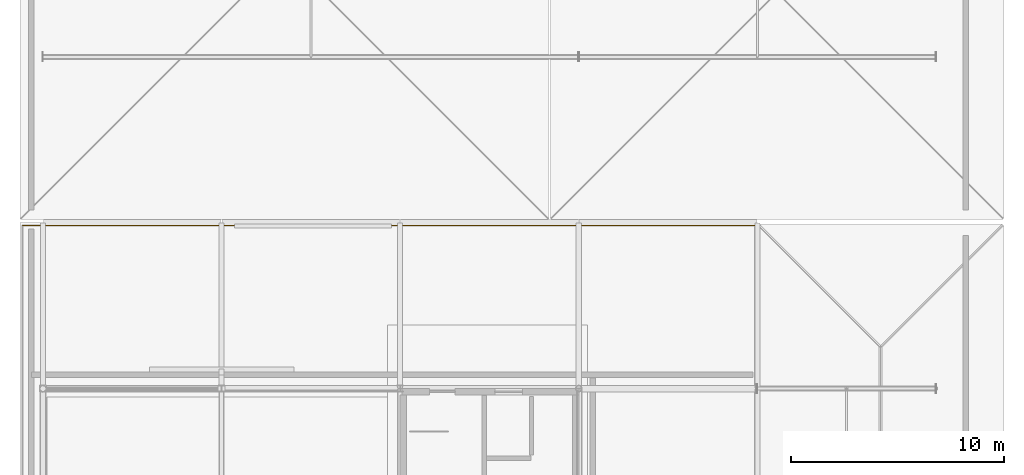
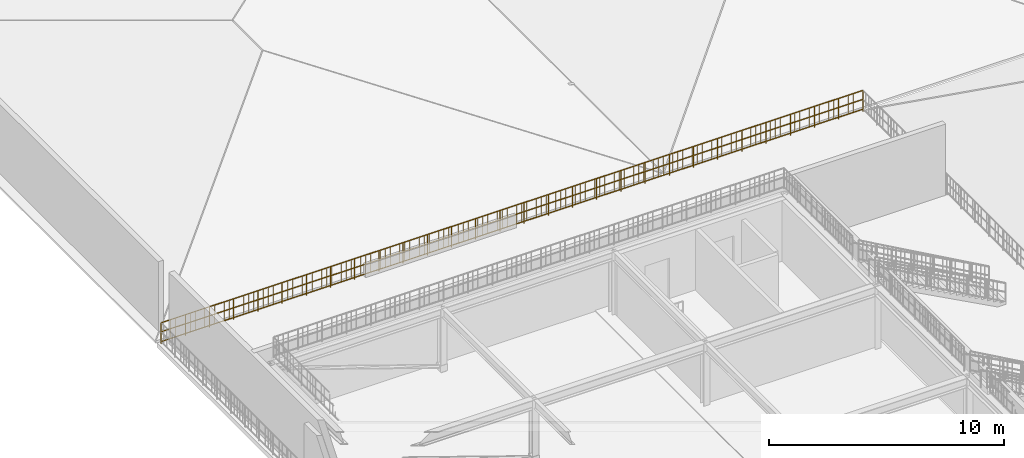
# One storey, part 16 of 16: 1 railing.
"""IFC4 building model written with IfcOpenShell, lengths in metres."""

from ifc_helpers import new_model, si_unit, direction, frame, origin, origin_2d, place, context, subcontext, project, spatial, circle, extrude, material, layer, layer_set, type_object, element, save


model = new_model("IFC4")

# Units and contexts
model_context = context("Model", 3, precision=1e-05, world=origin(), true_north=direction((0.0, 1.0)))
body_context = subcontext(model_context, "Body", "Model", "MODEL_VIEW")
ifc_project = project(units=[si_unit("LENGTHUNIT", "METRE"), si_unit("AREAUNIT", "SQUARE_METRE"), si_unit("VOLUMEUNIT", "CUBIC_METRE"), si_unit("PLANEANGLEUNIT", "RADIAN"), si_unit("MASSUNIT", "GRAM", prefix="KILO")], contexts=[model_context])

# Site, building, storey
site_placement = place(None, origin())
site = spatial("IfcSite", under=ifc_project, at=site_placement, CompositionType="ELEMENT")
building_placement = place(site_placement, origin())
building = spatial("IfcBuilding", under=site, at=building_placement, Name="Nabrawat Pavilion Hospital", CompositionType="ELEMENT")
storey_placement = place(building_placement, frame((0.0, 0.0, 35.10009765625)))
storey = spatial("IfcBuildingStorey", under=building, at=storey_placement, Name="Roof", CompositionType="ELEMENT", Elevation=35.10009765625)

# Railing
ifc_material = material(Name="Stainless Steel 316", Category="steel")
ifc_layer = layer(ifc_material, 0.070068359375, Name="Stainless Steel 316")
ifc_layer_set = layer_set([ifc_layer], Name="Stainless Steel 316")
railing_type = type_object("IfcRailingType", Name="Exterior Clinical Terrace Safety Guardrail 1100", PredefinedType="GUARDRAIL", material=ifc_layer_set)
railing_placement = place(storey_placement, frame((150.239990234375, 85.679931640625, 0.0)))
element("IfcRailing", 1, at=railing_placement, inside=storey, type_object=railing_type, Name="Roof Headhouse Terrace Safety Guardrail North", PredefinedType="GUARDRAIL", context=body_context, shape_type="SweptSolid", body=[
    extrude(circle(Radius=0.02392578125, at=origin_2d()), frame((0.0, 0.0, 1.076171875), z_axis=(1.0, 0.0, 0.0), x_axis=(0.0, 1.0, 0.0)), (0.0, 0.0, 1.0), 34.43994140625),
    extrude(circle(Radius=0.02392578125, at=origin_2d()), frame((0.0, 0.0, 0.10009765625), z_axis=(1.0, 0.0, 0.0), x_axis=(0.0, 1.0, 0.0)), (0.0, 0.0, 1.0), 34.43994140625),
    extrude(circle(Radius=0.02392578125, at=origin_2d()), frame((0.0, 0.0, 0.60498046875), z_axis=(1.0, 0.0, 0.0), x_axis=(0.0, 1.0, 0.0)), (0.0, 0.0, 1.0), 34.43994140625),
    extrude(circle(Radius=0.008056640625, at=origin_2d()), frame((0.2392578125, 0.0, 0.10009765625)), (0.0, 0.0, 1.0), 0.951904296875),
    extrude(circle(Radius=0.008056640625, at=origin_2d()), frame((0.478271484375, 0.0, 0.10009765625)), (0.0, 0.0, 1.0), 0.951904296875),
    extrude(circle(Radius=0.008056640625, at=origin_2d()), frame((0.717529296875, 0.0, 0.10009765625)), (0.0, 0.0, 1.0), 0.951904296875),
    extrude(circle(Radius=0.008056640625, at=origin_2d()), frame((0.95654296875, 0.0, 0.10009765625)), (0.0, 0.0, 1.0), 0.951904296875),
    extrude(circle(Radius=0.008056640625, at=origin_2d()), frame((1.43505859375, 0.0, 0.10009765625)), (0.0, 0.0, 1.0), 0.951904296875),
    extrude(circle(Radius=0.008056640625, at=origin_2d()), frame((1.674072265625, 0.0, 0.10009765625)), (0.0, 0.0, 1.0), 0.951904296875),
    extrude(circle(Radius=0.008056640625, at=origin_2d()), frame((1.913330078125, 0.0, 0.10009765625)), (0.0, 0.0, 1.0), 0.951904296875),
    extrude(circle(Radius=0.008056640625, at=origin_2d()), frame((2.152587890625, 0.0, 0.10009765625)), (0.0, 0.0, 1.0), 0.951904296875),
    extrude(circle(Radius=0.008056640625, at=origin_2d()), frame((2.630859375, 0.0, 0.10009765625)), (0.0, 0.0, 1.0), 0.951904296875),
    extrude(circle(Radius=0.008056640625, at=origin_2d()), frame((2.8701171875, 0.0, 0.10009765625)), (0.0, 0.0, 1.0), 0.951904296875),
    extrude(circle(Radius=0.008056640625, at=origin_2d()), frame((3.109130859375, 0.0, 0.10009765625)), (0.0, 0.0, 1.0), 0.951904296875),
    extrude(circle(Radius=0.008056640625, at=origin_2d()), frame((3.348388671875, 0.0, 0.10009765625)), (0.0, 0.0, 1.0), 0.951904296875),
    extrude(circle(Radius=0.008056640625, at=origin_2d()), frame((3.82666015625, 0.0, 0.10009765625)), (0.0, 0.0, 1.0), 0.951904296875),
    extrude(circle(Radius=0.008056640625, at=origin_2d()), frame((4.06591796875, 0.0, 0.10009765625)), (0.0, 0.0, 1.0), 0.951904296875),
    extrude(circle(Radius=0.008056640625, at=origin_2d()), frame((4.304931640625, 0.0, 0.10009765625)), (0.0, 0.0, 1.0), 0.951904296875),
    extrude(circle(Radius=0.008056640625, at=origin_2d()), frame((4.544189453125, 0.0, 0.10009765625)), (0.0, 0.0, 1.0), 0.951904296875),
    extrude(circle(Radius=0.008056640625, at=origin_2d()), frame((5.0224609375, 0.0, 0.10009765625)), (0.0, 0.0, 1.0), 0.951904296875),
    extrude(circle(Radius=0.008056640625, at=origin_2d()), frame((5.26171875, 0.0, 0.10009765625)), (0.0, 0.0, 1.0), 0.951904296875),
    extrude(circle(Radius=0.008056640625, at=origin_2d()), frame((5.500732421875, 0.0, 0.10009765625)), (0.0, 0.0, 1.0), 0.951904296875),
    extrude(circle(Radius=0.008056640625, at=origin_2d()), frame((5.739990234375, 0.0, 0.10009765625)), (0.0, 0.0, 1.0), 0.951904296875),
    extrude(circle(Radius=0.008056640625, at=origin_2d()), frame((6.21826171875, 0.0, 0.10009765625)), (0.0, 0.0, 1.0), 0.951904296875),
    extrude(circle(Radius=0.008056640625, at=origin_2d()), frame((6.45751953125, 0.0, 0.10009765625)), (0.0, 0.0, 1.0), 0.951904296875),
    extrude(circle(Radius=0.008056640625, at=origin_2d()), frame((6.69677734375, 0.0, 0.10009765625)), (0.0, 0.0, 1.0), 0.951904296875),
    extrude(circle(Radius=0.008056640625, at=origin_2d()), frame((6.935791015625, 0.0, 0.10009765625)), (0.0, 0.0, 1.0), 0.951904296875),
    extrude(circle(Radius=0.008056640625, at=origin_2d()), frame((7.4140625, 0.0, 0.10009765625)), (0.0, 0.0, 1.0), 0.951904296875),
    extrude(circle(Radius=0.008056640625, at=origin_2d()), frame((7.6533203125, 0.0, 0.10009765625)), (0.0, 0.0, 1.0), 0.951904296875),
    extrude(circle(Radius=0.008056640625, at=origin_2d()), frame((7.892578125, 0.0, 0.10009765625)), (0.0, 0.0, 1.0), 0.951904296875),
    extrude(circle(Radius=0.008056640625, at=origin_2d()), frame((8.131591796875, 0.0, 0.10009765625)), (0.0, 0.0, 1.0), 0.951904296875),
    extrude(circle(Radius=0.008056640625, at=origin_2d()), frame((8.370849609375, 0.0, 0.10009765625)), (0.0, 0.0, 1.0), 0.951904296875),
    extrude(circle(Radius=0.008056640625, at=origin_2d()), frame((8.60986328125, 0.0, 0.10009765625)), (0.0, 0.0, 1.0), 0.951904296875),
    extrude(circle(Radius=0.008056640625, at=origin_2d()), frame((8.84912109375, 0.0, 0.10009765625)), (0.0, 0.0, 1.0), 0.951904296875),
    extrude(circle(Radius=0.008056640625, at=origin_2d()), frame((9.08837890625, 0.0, 0.10009765625)), (0.0, 0.0, 1.0), 0.951904296875),
    extrude(circle(Radius=0.008056640625, at=origin_2d()), frame((9.327392578125, 0.0, 0.10009765625)), (0.0, 0.0, 1.0), 0.951904296875),
    extrude(circle(Radius=0.008056640625, at=origin_2d()), frame((9.566650390625, 0.0, 0.10009765625)), (0.0, 0.0, 1.0), 0.951904296875),
    extrude(circle(Radius=0.008056640625, at=origin_2d()), frame((9.805908203125, 0.0, 0.10009765625)), (0.0, 0.0, 1.0), 0.951904296875),
    extrude(circle(Radius=0.008056640625, at=origin_2d()), frame((10.044921875, 0.0, 0.10009765625)), (0.0, 0.0, 1.0), 0.951904296875),
    extrude(circle(Radius=0.008056640625, at=origin_2d()), frame((10.2841796875, 0.0, 0.10009765625)), (0.0, 0.0, 1.0), 0.951904296875),
    extrude(circle(Radius=0.008056640625, at=origin_2d()), frame((10.5234375, 0.0, 0.10009765625)), (0.0, 0.0, 1.0), 0.951904296875),
    extrude(circle(Radius=0.008056640625, at=origin_2d()), frame((10.762451171875, 0.0, 0.10009765625)), (0.0, 0.0, 1.0), 0.951904296875),
    extrude(circle(Radius=0.008056640625, at=origin_2d()), frame((11.001708984375, 0.0, 0.10009765625)), (0.0, 0.0, 1.0), 0.951904296875),
    extrude(circle(Radius=0.008056640625, at=origin_2d()), frame((11.24072265625, 0.0, 0.10009765625)), (0.0, 0.0, 1.0), 0.951904296875),
    extrude(circle(Radius=0.008056640625, at=origin_2d()), frame((11.47998046875, 0.0, 0.10009765625)), (0.0, 0.0, 1.0), 0.951904296875),
    extrude(circle(Radius=0.008056640625, at=origin_2d()), frame((11.71923828125, 0.0, 0.10009765625)), (0.0, 0.0, 1.0), 0.951904296875),
    extrude(circle(Radius=0.008056640625, at=origin_2d()), frame((11.958251953125, 0.0, 0.10009765625)), (0.0, 0.0, 1.0), 0.951904296875),
    extrude(circle(Radius=0.008056640625, at=origin_2d()), frame((12.197509765625, 0.0, 0.10009765625)), (0.0, 0.0, 1.0), 0.951904296875),
    extrude(circle(Radius=0.008056640625, at=origin_2d()), frame((12.4365234375, 0.0, 0.10009765625)), (0.0, 0.0, 1.0), 0.951904296875),
    extrude(circle(Radius=0.008056640625, at=origin_2d()), frame((12.67578125, 0.0, 0.10009765625)), (0.0, 0.0, 1.0), 0.951904296875),
    extrude(circle(Radius=0.008056640625, at=origin_2d()), frame((12.9150390625, 0.0, 0.10009765625)), (0.0, 0.0, 1.0), 0.951904296875),
    extrude(circle(Radius=0.008056640625, at=origin_2d()), frame((13.154052734375, 0.0, 0.10009765625)), (0.0, 0.0, 1.0), 0.951904296875),
    extrude(circle(Radius=0.008056640625, at=origin_2d()), frame((13.393310546875, 0.0, 0.10009765625)), (0.0, 0.0, 1.0), 0.951904296875),
    extrude(circle(Radius=0.008056640625, at=origin_2d()), frame((13.632568359375, 0.0, 0.10009765625)), (0.0, 0.0, 1.0), 0.951904296875),
    extrude(circle(Radius=0.008056640625, at=origin_2d()), frame((13.87158203125, 0.0, 0.10009765625)), (0.0, 0.0, 1.0), 0.951904296875),
    extrude(circle(Radius=0.008056640625, at=origin_2d()), frame((14.11083984375, 0.0, 0.10009765625)), (0.0, 0.0, 1.0), 0.951904296875),
    extrude(circle(Radius=0.008056640625, at=origin_2d()), frame((14.35009765625, 0.0, 0.10009765625)), (0.0, 0.0, 1.0), 0.951904296875),
    extrude(circle(Radius=0.008056640625, at=origin_2d()), frame((14.589111328125, 0.0, 0.10009765625)), (0.0, 0.0, 1.0), 0.951904296875),
    extrude(circle(Radius=0.008056640625, at=origin_2d()), frame((14.828369140625, 0.0, 0.10009765625)), (0.0, 0.0, 1.0), 0.951904296875),
    extrude(circle(Radius=0.008056640625, at=origin_2d()), frame((15.0673828125, 0.0, 0.10009765625)), (0.0, 0.0, 1.0), 0.951904296875),
    extrude(circle(Radius=0.008056640625, at=origin_2d()), frame((15.306640625, 0.0, 0.10009765625)), (0.0, 0.0, 1.0), 0.951904296875),
    extrude(circle(Radius=0.008056640625, at=origin_2d()), frame((15.5458984375, 0.0, 0.10009765625)), (0.0, 0.0, 1.0), 0.951904296875),
    extrude(circle(Radius=0.008056640625, at=origin_2d()), frame((15.784912109375, 0.0, 0.10009765625)), (0.0, 0.0, 1.0), 0.951904296875),
    extrude(circle(Radius=0.008056640625, at=origin_2d()), frame((16.024169921875, 0.0, 0.10009765625)), (0.0, 0.0, 1.0), 0.951904296875),
    extrude(circle(Radius=0.008056640625, at=origin_2d()), frame((16.26318359375, 0.0, 0.10009765625)), (0.0, 0.0, 1.0), 0.951904296875),
    extrude(circle(Radius=0.008056640625, at=origin_2d()), frame((16.50244140625, 0.0, 0.10009765625)), (0.0, 0.0, 1.0), 0.951904296875),
    extrude(circle(Radius=0.008056640625, at=origin_2d()), frame((16.74169921875, 0.0, 0.10009765625)), (0.0, 0.0, 1.0), 0.951904296875),
    extrude(circle(Radius=0.008056640625, at=origin_2d()), frame((16.980712890625, 0.0, 0.10009765625)), (0.0, 0.0, 1.0), 0.951904296875),
    extrude(circle(Radius=0.008056640625, at=origin_2d()), frame((17.219970703125, 0.0, 0.10009765625)), (0.0, 0.0, 1.0), 0.951904296875),
    extrude(circle(Radius=0.008056640625, at=origin_2d()), frame((17.459228515625, 0.0, 0.10009765625)), (0.0, 0.0, 1.0), 0.951904296875),
    extrude(circle(Radius=0.008056640625, at=origin_2d()), frame((17.6982421875, 0.0, 0.10009765625)), (0.0, 0.0, 1.0), 0.951904296875),
    extrude(circle(Radius=0.008056640625, at=origin_2d()), frame((17.9375, 0.0, 0.10009765625)), (0.0, 0.0, 1.0), 0.951904296875),
    extrude(circle(Radius=0.008056640625, at=origin_2d()), frame((18.1767578125, 0.0, 0.10009765625)), (0.0, 0.0, 1.0), 0.951904296875),
    extrude(circle(Radius=0.008056640625, at=origin_2d()), frame((18.415771484375, 0.0, 0.10009765625)), (0.0, 0.0, 1.0), 0.951904296875),
    extrude(circle(Radius=0.008056640625, at=origin_2d()), frame((18.655029296875, 0.0, 0.10009765625)), (0.0, 0.0, 1.0), 0.951904296875),
    extrude(circle(Radius=0.008056640625, at=origin_2d()), frame((18.89404296875, 0.0, 0.10009765625)), (0.0, 0.0, 1.0), 0.951904296875),
    extrude(circle(Radius=0.008056640625, at=origin_2d()), frame((19.13330078125, 0.0, 0.10009765625)), (0.0, 0.0, 1.0), 0.951904296875),
    extrude(circle(Radius=0.008056640625, at=origin_2d()), frame((19.37255859375, 0.0, 0.10009765625)), (0.0, 0.0, 1.0), 0.951904296875),
    extrude(circle(Radius=0.008056640625, at=origin_2d()), frame((19.611572265625, 0.0, 0.10009765625)), (0.0, 0.0, 1.0), 0.951904296875),
    extrude(circle(Radius=0.008056640625, at=origin_2d()), frame((19.850830078125, 0.0, 0.10009765625)), (0.0, 0.0, 1.0), 0.951904296875),
    extrude(circle(Radius=0.008056640625, at=origin_2d()), frame((20.08984375, 0.0, 0.10009765625)), (0.0, 0.0, 1.0), 0.951904296875),
    extrude(circle(Radius=0.008056640625, at=origin_2d()), frame((20.3291015625, 0.0, 0.10009765625)), (0.0, 0.0, 1.0), 0.951904296875),
    extrude(circle(Radius=0.008056640625, at=origin_2d()), frame((20.568359375, 0.0, 0.10009765625)), (0.0, 0.0, 1.0), 0.951904296875),
    extrude(circle(Radius=0.008056640625, at=origin_2d()), frame((20.807373046875, 0.0, 0.10009765625)), (0.0, 0.0, 1.0), 0.951904296875),
    extrude(circle(Radius=0.008056640625, at=origin_2d()), frame((21.046630859375, 0.0, 0.10009765625)), (0.0, 0.0, 1.0), 0.951904296875),
    extrude(circle(Radius=0.008056640625, at=origin_2d()), frame((21.285888671875, 0.0, 0.10009765625)), (0.0, 0.0, 1.0), 0.951904296875),
    extrude(circle(Radius=0.008056640625, at=origin_2d()), frame((21.52490234375, 0.0, 0.10009765625)), (0.0, 0.0, 1.0), 0.951904296875),
    extrude(circle(Radius=0.008056640625, at=origin_2d()), frame((21.76416015625, 0.0, 0.10009765625)), (0.0, 0.0, 1.0), 0.951904296875),
    extrude(circle(Radius=0.008056640625, at=origin_2d()), frame((22.00341796875, 0.0, 0.10009765625)), (0.0, 0.0, 1.0), 0.951904296875),
    extrude(circle(Radius=0.008056640625, at=origin_2d()), frame((22.242431640625, 0.0, 0.10009765625)), (0.0, 0.0, 1.0), 0.951904296875),
    extrude(circle(Radius=0.008056640625, at=origin_2d()), frame((22.481689453125, 0.0, 0.10009765625)), (0.0, 0.0, 1.0), 0.951904296875),
    extrude(circle(Radius=0.008056640625, at=origin_2d()), frame((22.720703125, 0.0, 0.10009765625)), (0.0, 0.0, 1.0), 0.951904296875),
    extrude(circle(Radius=0.008056640625, at=origin_2d()), frame((22.9599609375, 0.0, 0.10009765625)), (0.0, 0.0, 1.0), 0.951904296875),
    extrude(circle(Radius=0.008056640625, at=origin_2d()), frame((23.19921875, 0.0, 0.10009765625)), (0.0, 0.0, 1.0), 0.951904296875),
    extrude(circle(Radius=0.008056640625, at=origin_2d()), frame((23.438232421875, 0.0, 0.10009765625)), (0.0, 0.0, 1.0), 0.951904296875),
    extrude(circle(Radius=0.008056640625, at=origin_2d()), frame((23.677490234375, 0.0, 0.10009765625)), (0.0, 0.0, 1.0), 0.951904296875),
    extrude(circle(Radius=0.008056640625, at=origin_2d()), frame((23.91650390625, 0.0, 0.10009765625)), (0.0, 0.0, 1.0), 0.951904296875),
    extrude(circle(Radius=0.008056640625, at=origin_2d()), frame((24.15576171875, 0.0, 0.10009765625)), (0.0, 0.0, 1.0), 0.951904296875),
    extrude(circle(Radius=0.008056640625, at=origin_2d()), frame((24.39501953125, 0.0, 0.10009765625)), (0.0, 0.0, 1.0), 0.951904296875),
    extrude(circle(Radius=0.008056640625, at=origin_2d()), frame((24.634033203125, 0.0, 0.10009765625)), (0.0, 0.0, 1.0), 0.951904296875),
    extrude(circle(Radius=0.008056640625, at=origin_2d()), frame((24.873291015625, 0.0, 0.10009765625)), (0.0, 0.0, 1.0), 0.951904296875),
    extrude(circle(Radius=0.008056640625, at=origin_2d()), frame((25.112548828125, 0.0, 0.10009765625)), (0.0, 0.0, 1.0), 0.951904296875),
    extrude(circle(Radius=0.008056640625, at=origin_2d()), frame((25.3515625, 0.0, 0.10009765625)), (0.0, 0.0, 1.0), 0.951904296875),
    extrude(circle(Radius=0.008056640625, at=origin_2d()), frame((25.5908203125, 0.0, 0.10009765625)), (0.0, 0.0, 1.0), 0.951904296875),
    extrude(circle(Radius=0.008056640625, at=origin_2d()), frame((25.830078125, 0.0, 0.10009765625)), (0.0, 0.0, 1.0), 0.951904296875),
    extrude(circle(Radius=0.008056640625, at=origin_2d()), frame((26.069091796875, 0.0, 0.10009765625)), (0.0, 0.0, 1.0), 0.951904296875),
    extrude(circle(Radius=0.008056640625, at=origin_2d()), frame((26.308349609375, 0.0, 0.10009765625)), (0.0, 0.0, 1.0), 0.951904296875),
    extrude(circle(Radius=0.008056640625, at=origin_2d()), frame((26.54736328125, 0.0, 0.10009765625)), (0.0, 0.0, 1.0), 0.951904296875),
    extrude(circle(Radius=0.008056640625, at=origin_2d()), frame((26.78662109375, 0.0, 0.10009765625)), (0.0, 0.0, 1.0), 0.951904296875),
    extrude(circle(Radius=0.008056640625, at=origin_2d()), frame((27.02587890625, 0.0, 0.10009765625)), (0.0, 0.0, 1.0), 0.951904296875),
    extrude(circle(Radius=0.008056640625, at=origin_2d()), frame((27.504150390625, 0.0, 0.10009765625)), (0.0, 0.0, 1.0), 0.951904296875),
    extrude(circle(Radius=0.008056640625, at=origin_2d()), frame((27.7431640625, 0.0, 0.10009765625)), (0.0, 0.0, 1.0), 0.951904296875),
    extrude(circle(Radius=0.008056640625, at=origin_2d()), frame((27.982421875, 0.0, 0.10009765625)), (0.0, 0.0, 1.0), 0.951904296875),
    extrude(circle(Radius=0.008056640625, at=origin_2d()), frame((28.2216796875, 0.0, 0.10009765625)), (0.0, 0.0, 1.0), 0.951904296875),
    extrude(circle(Radius=0.008056640625, at=origin_2d()), frame((28.699951171875, 0.0, 0.10009765625)), (0.0, 0.0, 1.0), 0.951904296875),
    extrude(circle(Radius=0.008056640625, at=origin_2d()), frame((28.939208984375, 0.0, 0.10009765625)), (0.0, 0.0, 1.0), 0.951904296875),
    extrude(circle(Radius=0.008056640625, at=origin_2d()), frame((29.17822265625, 0.0, 0.10009765625)), (0.0, 0.0, 1.0), 0.951904296875),
    extrude(circle(Radius=0.008056640625, at=origin_2d()), frame((29.41748046875, 0.0, 0.10009765625)), (0.0, 0.0, 1.0), 0.951904296875),
    extrude(circle(Radius=0.008056640625, at=origin_2d()), frame((29.895751953125, 0.0, 0.10009765625)), (0.0, 0.0, 1.0), 0.951904296875),
    extrude(circle(Radius=0.008056640625, at=origin_2d()), frame((30.135009765625, 0.0, 0.10009765625)), (0.0, 0.0, 1.0), 0.951904296875),
    extrude(circle(Radius=0.008056640625, at=origin_2d()), frame((30.3740234375, 0.0, 0.10009765625)), (0.0, 0.0, 1.0), 0.951904296875),
    extrude(circle(Radius=0.008056640625, at=origin_2d()), frame((30.61328125, 0.0, 0.10009765625)), (0.0, 0.0, 1.0), 0.951904296875),
    extrude(circle(Radius=0.008056640625, at=origin_2d()), frame((31.091552734375, 0.0, 0.10009765625)), (0.0, 0.0, 1.0), 0.951904296875),
    extrude(circle(Radius=0.008056640625, at=origin_2d()), frame((31.330810546875, 0.0, 0.10009765625)), (0.0, 0.0, 1.0), 0.951904296875),
    extrude(circle(Radius=0.008056640625, at=origin_2d()), frame((31.56982421875, 0.0, 0.10009765625)), (0.0, 0.0, 1.0), 0.951904296875),
    extrude(circle(Radius=0.008056640625, at=origin_2d()), frame((31.80908203125, 0.0, 0.10009765625)), (0.0, 0.0, 1.0), 0.951904296875),
    extrude(circle(Radius=0.008056640625, at=origin_2d()), frame((32.287353515625, 0.0, 0.10009765625)), (0.0, 0.0, 1.0), 0.951904296875),
    extrude(circle(Radius=0.008056640625, at=origin_2d()), frame((32.526611328125, 0.0, 0.10009765625)), (0.0, 0.0, 1.0), 0.951904296875),
    extrude(circle(Radius=0.008056640625, at=origin_2d()), frame((32.765869140625, 0.0, 0.10009765625)), (0.0, 0.0, 1.0), 0.951904296875),
    extrude(circle(Radius=0.008056640625, at=origin_2d()), frame((33.0048828125, 0.0, 0.10009765625)), (0.0, 0.0, 1.0), 0.951904296875),
    extrude(circle(Radius=0.008056640625, at=origin_2d()), frame((33.4833984375, 0.0, 0.10009765625)), (0.0, 0.0, 1.0), 0.951904296875),
    extrude(circle(Radius=0.008056640625, at=origin_2d()), frame((33.722412109375, 0.0, 0.10009765625)), (0.0, 0.0, 1.0), 0.951904296875),
    extrude(circle(Radius=0.008056640625, at=origin_2d()), frame((33.961669921875, 0.0, 0.10009765625)), (0.0, 0.0, 1.0), 0.951904296875),
    extrude(circle(Radius=0.008056640625, at=origin_2d()), frame((34.20068359375, 0.0, 0.10009765625)), (0.0, 0.0, 1.0), 0.951904296875),
    extrude(circle(Radius=0.02099609375, at=origin_2d()), origin(), (0.0, 0.0, 1.0), 1.052001953125),
    extrude(circle(Radius=0.02099609375, at=origin_2d()), frame((1.1875, 0.0, 0.0)), (0.0, 0.0, 1.0), 1.052001953125),
    extrude(circle(Radius=0.02099609375, at=origin_2d()), frame((2.375244140625, 0.0, 0.0)), (0.0, 0.0, 1.0), 1.052001953125),
    extrude(circle(Radius=0.02099609375, at=origin_2d()), frame((3.562744140625, 0.0, 0.0)), (0.0, 0.0, 1.0), 1.052001953125),
    extrude(circle(Radius=0.02099609375, at=origin_2d()), frame((4.750244140625, 0.0, 0.0)), (0.0, 0.0, 1.0), 1.052001953125),
    extrude(circle(Radius=0.02099609375, at=origin_2d()), frame((5.93798828125, 0.0, 0.0)), (0.0, 0.0, 1.0), 1.052001953125),
    extrude(circle(Radius=0.02099609375, at=origin_2d()), frame((7.12548828125, 0.0, 0.0)), (0.0, 0.0, 1.0), 1.052001953125),
    extrude(circle(Radius=0.02099609375, at=origin_2d()), frame((8.31298828125, 0.0, 0.0)), (0.0, 0.0, 1.0), 1.052001953125),
    extrude(circle(Radius=0.02099609375, at=origin_2d()), frame((9.500732421875, 0.0, 0.0)), (0.0, 0.0, 1.0), 1.052001953125),
    extrude(circle(Radius=0.02099609375, at=origin_2d()), frame((10.688232421875, 0.0, 0.0)), (0.0, 0.0, 1.0), 1.052001953125),
    extrude(circle(Radius=0.02099609375, at=origin_2d()), frame((11.875732421875, 0.0, 0.0)), (0.0, 0.0, 1.0), 1.052001953125),
    extrude(circle(Radius=0.02099609375, at=origin_2d()), frame((13.0634765625, 0.0, 0.0)), (0.0, 0.0, 1.0), 1.052001953125),
    extrude(circle(Radius=0.02099609375, at=origin_2d()), frame((14.2509765625, 0.0, 0.0)), (0.0, 0.0, 1.0), 1.052001953125),
    extrude(circle(Radius=0.02099609375, at=origin_2d()), frame((15.4384765625, 0.0, 0.0)), (0.0, 0.0, 1.0), 1.052001953125),
    extrude(circle(Radius=0.02099609375, at=origin_2d()), frame((16.626220703125, 0.0, 0.0)), (0.0, 0.0, 1.0), 1.052001953125),
    extrude(circle(Radius=0.02099609375, at=origin_2d()), frame((17.813720703125, 0.0, 0.0)), (0.0, 0.0, 1.0), 1.052001953125),
    extrude(circle(Radius=0.02099609375, at=origin_2d()), frame((19.00146484375, 0.0, 0.0)), (0.0, 0.0, 1.0), 1.052001953125),
    extrude(circle(Radius=0.02099609375, at=origin_2d()), frame((20.18896484375, 0.0, 0.0)), (0.0, 0.0, 1.0), 1.052001953125),
    extrude(circle(Radius=0.02099609375, at=origin_2d()), frame((21.37646484375, 0.0, 0.0)), (0.0, 0.0, 1.0), 1.052001953125),
    extrude(circle(Radius=0.02099609375, at=origin_2d()), frame((22.564208984375, 0.0, 0.0)), (0.0, 0.0, 1.0), 1.052001953125),
    extrude(circle(Radius=0.02099609375, at=origin_2d()), frame((23.751708984375, 0.0, 0.0)), (0.0, 0.0, 1.0), 1.052001953125),
    extrude(circle(Radius=0.02099609375, at=origin_2d()), frame((24.939208984375, 0.0, 0.0)), (0.0, 0.0, 1.0), 1.052001953125),
    extrude(circle(Radius=0.02099609375, at=origin_2d()), frame((26.126953125, 0.0, 0.0)), (0.0, 0.0, 1.0), 1.052001953125),
    extrude(circle(Radius=0.02099609375, at=origin_2d()), frame((27.314453125, 0.0, 0.0)), (0.0, 0.0, 1.0), 1.052001953125),
    extrude(circle(Radius=0.02099609375, at=origin_2d()), frame((28.501953125, 0.0, 0.0)), (0.0, 0.0, 1.0), 1.052001953125),
    extrude(circle(Radius=0.02099609375, at=origin_2d()), frame((29.689697265625, 0.0, 0.0)), (0.0, 0.0, 1.0), 1.052001953125),
    extrude(circle(Radius=0.02099609375, at=origin_2d()), frame((30.877197265625, 0.0, 0.0)), (0.0, 0.0, 1.0), 1.052001953125),
    extrude(circle(Radius=0.02099609375, at=origin_2d()), frame((32.064697265625, 0.0, 0.0)), (0.0, 0.0, 1.0), 1.052001953125),
    extrude(circle(Radius=0.02099609375, at=origin_2d()), frame((33.25244140625, 0.0, 0.0)), (0.0, 0.0, 1.0), 1.052001953125),
    extrude(circle(Radius=0.02099609375, at=origin_2d()), frame((34.43994140625, 0.0, 0.0)), (0.0, 0.0, 1.0), 1.052001953125),
])

save(model, "model.ifc")
